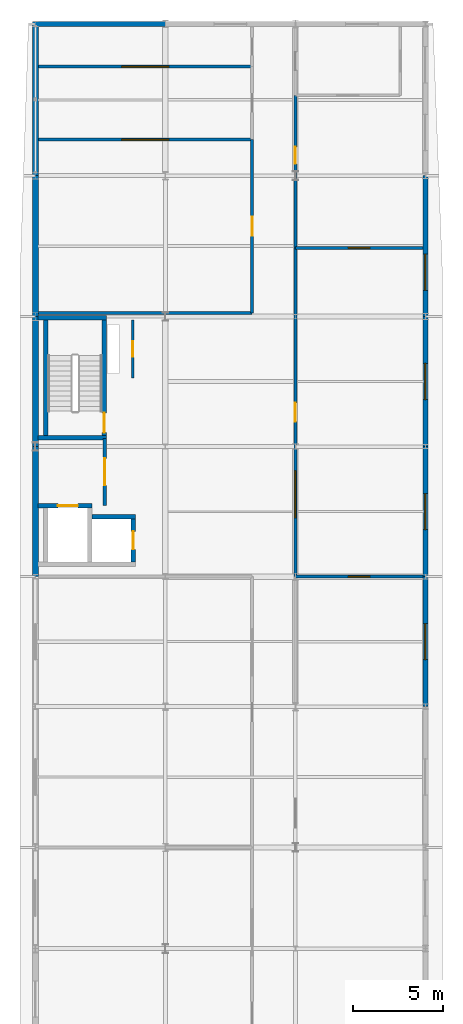
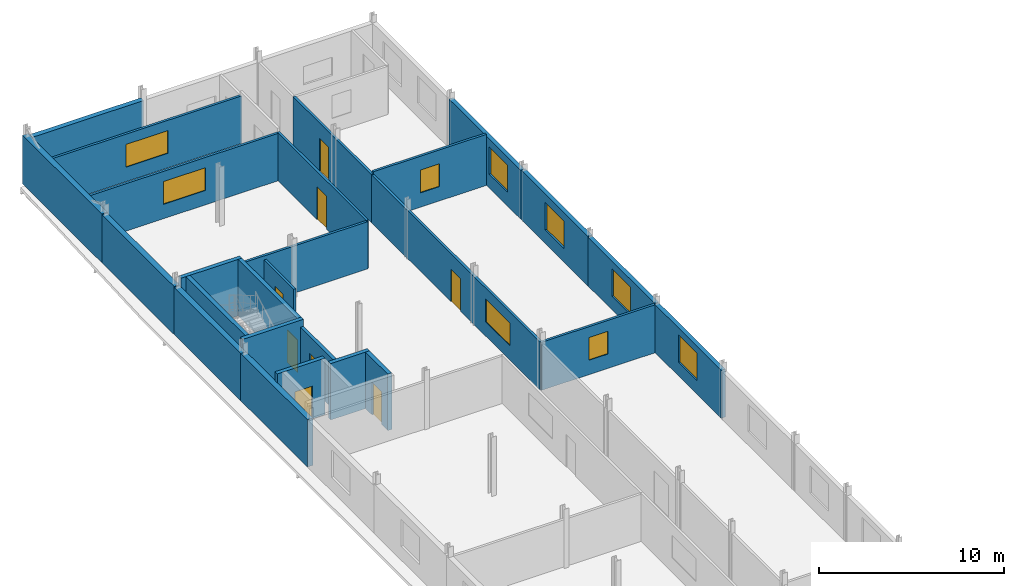
# One storey, part 12 of 16: 26 walls, 9 windows, 8 doors, 17 openings.
"""IFC4 building model written with IfcOpenShell, lengths in metres."""

from ifc_helpers import new_model, si_unit, direction, frame, frame_2d, origin, place, context, subcontext, project, spatial, rectangle, extrude, material, layer, layer_set, type_object, element, fill, save


model = new_model("IFC4")

# Units and contexts
model_context = context("Model", 3, precision=1e-05, world=origin(), true_north=direction((0.0, 1.0)))
body_context = subcontext(model_context, "Body", "Model", "MODEL_VIEW")
ifc_project = project(units=[si_unit("LENGTHUNIT", "METRE"), si_unit("AREAUNIT", "SQUARE_METRE"), si_unit("VOLUMEUNIT", "CUBIC_METRE"), si_unit("PLANEANGLEUNIT", "RADIAN"), si_unit("MASSUNIT", "GRAM", prefix="KILO")], contexts=[model_context])

# Site, building, storey
site_placement = place(None, origin())
site = spatial("IfcSite", under=ifc_project, at=site_placement, CompositionType="ELEMENT")
building_placement = place(site_placement, origin())
building = spatial("IfcBuilding", under=site, at=building_placement, Name="Vinh Khe Railworks Police Headquarters", CompositionType="ELEMENT")
storey_placement = place(building_placement, frame((0.0, 0.0, 28.800048828125)))
storey = spatial("IfcBuildingStorey", under=building, at=storey_placement, Name="L07", CompositionType="ELEMENT", Elevation=28.800048828125)

# Walls
ifc_material_1 = material(Name="Concrete C40/50 (B40)", Category="concrete")
ifc_layer_1 = layer(ifc_material_1, 0.25)
ifc_layer_set_1 = layer_set([ifc_layer_1], Name="Concrete C40/50 (B40)")
wall_type_1 = type_object("IfcWallType", Name="Core Shear Wall 250", PredefinedType="SHEAR", material=ifc_layer_set_1)
for number, where, z_axis, x_axis, name in (
    (1, (0.75, 81.47509765625, 0.0), (0.0, 0.0, 1.0), (1.0, 0.0, 0.0), "Core C2 STAIR-S Shear Wall (L07)"),
    (2, (0.75, 88.125, 0.0), (0.0, 0.0, 1.0), (1.0, 0.0, 0.0), "Core C2 STAIR-N Shear Wall (L07)"),
):
    element("IfcWall", number, at=place(storey_placement, frame(where, z_axis=z_axis, x_axis=x_axis)), inside=storey, type_object=wall_type_1, Name=name, PredefinedType="SHEAR", context=body_context, shape_type="SweptSolid", body=[
        extrude(rectangle(XDim=3.800048828125, YDim=0.25, at=frame_2d((1.89990234375, 0.0))), origin(), (0.0, 0.0, 1.0), 3.719970703125),
    ])
wall_1_placement = place(storey_placement, frame((1.175048828125, 81.60009765625, 0.0), z_axis=(0.0, 0.0, 1.0), x_axis=(0.0, 1.0, 0.0)))
element("IfcWall", 3, at=wall_1_placement, inside=storey, type_object=wall_type_1, Name="Core C2 STAIR-W Shear Wall (L07)", PredefinedType="SHEAR", context=body_context, shape_type="SweptSolid", body=[
    extrude(rectangle(XDim=6.39990234375, YDim=0.25, at=frame_2d((3.199951171875, 0.0))), origin(), (0.0, 0.0, 1.0), 3.719970703125),
])

# Wall, opening, door
wall_2_placement = place(storey_placement, frame((4.425048828125, 81.60009765625, 0.0), z_axis=(0.0, 0.0, 1.0), x_axis=(0.0, 1.0, 0.0)))
wall_2 = element("IfcWall", 4, at=wall_2_placement, inside=storey, type_object=wall_type_1, Name="Core C2 STAIR-E Shear Wall (L07)", PredefinedType="SHEAR", context=body_context, shape_type="SweptSolid", body=[
    extrude(rectangle(XDim=6.39990234375, YDim=0.25, at=frame_2d((3.199951171875, 0.0))), origin(), (0.0, 0.0, 1.0), 3.719970703125),
])
opening_1_placement = place(wall_2_placement, frame((0.169921875, 0.0, 0.0)))
opening_1 = element("IfcOpeningElement", 5, at=opening_1_placement, cuts=wall_2, Name="Opening FD-01", PredefinedType="OPENING", context=body_context, shape_type="SweptSolid", body=[
    extrude(rectangle(XDim=1.10009765625, YDim=2.14990234375, at=frame_2d((0.550048828125, 1.074951171875))), frame((0.0, 0.139892578125, 0.0), z_axis=(0.0, -1.0, 0.0), x_axis=(1.0, 0.0, 0.0)), (0.0, 0.0, 1.0), 0.27978515625),
])
ifc_material_2 = material(Name="Painted galvanised steel", Category="steel")
door_type_1 = type_object("IfcDoorType", Name="FD-1100x2150", OperationType="NOTDEFINED", PredefinedType="DOOR", material=ifc_material_2)
door_1_placement = place(opening_1_placement, frame((1.10009765625, 0.0, 0.0), z_axis=(0.0, 0.0, 1.0), x_axis=(-1.0, 0.0, 0.0)))
door_1 = element("IfcDoor", 6, at=door_1_placement, inside=storey, type_object=door_type_1, Name="Escape Stair ST-02 Fire Door L07", OperationType="SINGLE_SWING_RIGHT", OverallHeight=2.14990234375, OverallWidth=1.10009765625, PredefinedType="DOOR", context=body_context, shape_type="SweptSolid", body=[
    extrude(rectangle(XDim=1.10009765625, YDim=2.14990234375, at=frame_2d((0.550048828125, 1.074951171875))), frame((0.0, 0.02490234375, 0.0), z_axis=(0.0, -1.0, 0.0), x_axis=(1.0, 0.0, 0.0)), (0.0, 0.0, 1.0), 0.050048828125),
])
fill(opening_1, door_1)

wall_3_placement = place(storey_placement, frame((0.75, 77.72509765625, 0.0), z_axis=(0.0, 0.0, 1.0), x_axis=(1.0, 0.0, 0.0)))
wall_3 = element("IfcWall", 7, at=wall_3_placement, inside=storey, type_object=wall_type_1, Name="Core C2 FL-N Lift Shaft Wall (L07)", PredefinedType="SHEAR", context=body_context, shape_type="SweptSolid", body=[
    extrude(rectangle(XDim=2.97509765625, YDim=0.25, at=frame_2d((1.487548828125, 0.0))), origin(), (0.0, 0.0, 1.0), 3.719970703125),
])
opening_2_placement = place(wall_3_placement, frame((1.10009765625, 0.0, 0.0)))
opening_2 = element("IfcOpeningElement", 8, at=opening_2_placement, cuts=wall_3, Name="Opening LD-01", PredefinedType="OPENING", context=body_context, shape_type="SweptSolid", body=[
    extrude(rectangle(XDim=1.10009765625, YDim=2.14990234375, at=frame_2d((0.550048828125, 1.074951171875))), frame((0.0, 0.139892578125, 0.0), z_axis=(0.0, -1.0, 0.0), x_axis=(1.0, 0.0, 0.0)), (0.0, 0.0, 1.0), 0.27978515625),
])
door_type_2 = type_object("IfcDoorType", Name="LD-FF-1100", OperationType="SLIDING_TO_LEFT", PredefinedType="DOOR", material=ifc_material_2)
door_2_placement = place(opening_2_placement, origin())
door_2 = element("IfcDoor", 9, at=door_2_placement, inside=storey, type_object=door_type_2, Name="Firefighting Lift Landing Door FL-02 L07", OperationType="SLIDING_TO_LEFT", OverallHeight=2.14990234375, OverallWidth=1.10009765625, PredefinedType="DOOR", context=body_context, shape_type="SweptSolid", body=[
    extrude(rectangle(XDim=1.10009765625, YDim=2.14990234375, at=frame_2d((0.550048828125, 1.074951171875))), frame((0.0, 0.02490234375, 0.0), z_axis=(0.0, -1.0, 0.0), x_axis=(1.0, 0.0, 0.0)), (0.0, 0.0, 1.0), 0.050048828125),
])
fill(opening_2, door_2)

# Wall
wall_4_placement = place(storey_placement, frame((3.72509765625, 77.125, 0.0), z_axis=(0.0, 0.0, 1.0), x_axis=(1.0, 0.0, 0.0)))
element("IfcWall", 10, at=wall_4_placement, inside=storey, type_object=wall_type_1, Name="Core C2 PL-N Lift Shaft Wall (L07)", PredefinedType="SHEAR", context=body_context, shape_type="SweptSolid", body=[
    extrude(rectangle(XDim=2.4248046875, YDim=0.25, at=frame_2d((1.21240234375, 0.0))), origin(), (0.0, 0.0, 1.0), 3.719970703125),
])

# Wall, opening, door
wall_5_placement = place(storey_placement, frame((6.02490234375, 74.60009765625, 0.0), z_axis=(0.0, 0.0, 1.0), x_axis=(0.0, 1.0, 0.0)))
wall_5 = element("IfcWall", 11, at=wall_5_placement, inside=storey, type_object=wall_type_1, Name="Core C2 PL-E Lift Shaft Wall (L07)", PredefinedType="SHEAR", context=body_context, shape_type="SweptSolid", body=[
    extrude(rectangle(XDim=2.39990234375, YDim=0.25, at=frame_2d((1.199951171875, 0.0))), origin(), (0.0, 0.0, 1.0), 3.719970703125),
])
opening_3_placement = place(wall_5_placement, frame((0.699951171875, 0.0, 0.0)))
opening_3 = element("IfcOpeningElement", 12, at=opening_3_placement, cuts=wall_5, Name="Opening LD-02", PredefinedType="OPENING", context=body_context, shape_type="SweptSolid", body=[
    extrude(rectangle(XDim=1.0, YDim=2.14990234375, at=frame_2d((0.5, 1.074951171875))), frame((0.0, 0.139892578125, 0.0), z_axis=(0.0, -1.0, 0.0), x_axis=(1.0, 0.0, 0.0)), (0.0, 0.0, 1.0), 0.27978515625),
])
door_type_3 = type_object("IfcDoorType", Name="LD-PAX-1000", OperationType="SLIDING_TO_RIGHT", PredefinedType="DOOR", material=ifc_material_2)
door_3_placement = place(opening_3_placement, frame((1.0, 0.0, 0.0), z_axis=(0.0, 0.0, 1.0), x_axis=(-1.0, 0.0, 0.0)))
door_3 = element("IfcDoor", 13, at=door_3_placement, inside=storey, type_object=door_type_3, Name="Passenger Lift Landing Door PL-02 L07", OperationType="SLIDING_TO_RIGHT", OverallHeight=2.14990234375, OverallWidth=1.0, PredefinedType="DOOR", context=body_context, shape_type="SweptSolid", body=[
    extrude(rectangle(XDim=1.0, YDim=2.14990234375, at=frame_2d((0.5, 1.074951171875))), frame((0.0, 0.02490234375, 0.0), z_axis=(0.0, -1.0, 0.0), x_axis=(1.0, 0.0, 0.0)), (0.0, 0.0, 1.0), 0.050048828125),
])
fill(opening_3, door_3)

# Wall, opening, window
ifc_material_3 = material(Name="Clay brickwork", Category="masonry")
ifc_layer_2 = layer(ifc_material_3, 0.260009765625)
ifc_layer_set_2 = layer_set([ifc_layer_2], Name="Clay brickwork")
wall_type_2 = type_object("IfcWallType", Name="EW-BRK-260", PredefinedType="SOLIDWALL", material=ifc_layer_set_2)
wall_6_placement = place(storey_placement, frame((22.199951171875, 66.60009765625, 0.0), z_axis=(0.0, 0.0, 1.0), x_axis=(0.0, 1.0, 0.0)))
wall_6 = element("IfcWall", 14, at=wall_6_placement, inside=storey, type_object=wall_type_2, Name="Exterior Brick Wall EW-L07-V5E-09", PredefinedType="SOLIDWALL", context=body_context, shape_type="SweptSolid", body=[
    extrude(rectangle(XDim=7.199951171875, YDim=0.260009765625, at=frame_2d((3.60009765625, 0.0))), origin(), (0.0, 0.0, 1.0), 3.1650390625),
])
opening_4_placement = place(wall_6_placement, frame((2.60009765625, 0.0, 0.89990234375)))
opening_4 = element("IfcOpeningElement", 15, at=opening_4_placement, cuts=wall_6, Name="Opening WN-04", PredefinedType="OPENING", context=body_context, shape_type="SweptSolid", body=[
    extrude(rectangle(XDim=2.0, YDim=1.800048828125, at=frame_2d((1.0, 0.89990234375))), frame((0.0, 0.14501953125, 0.0), z_axis=(0.0, -1.0, 0.0), x_axis=(1.0, 0.0, 0.0)), (0.0, 0.0, 1.0), 0.289794921875),
])
ifc_material_4 = material(Name="Double-glazed solar-control glass in dark steel frame", Category="steel")
window_type_1 = type_object("IfcWindowType", Name="WIN-WN-04", PartitioningType="DOUBLE_PANEL_VERTICAL", PredefinedType="WINDOW", material=ifc_material_4)
window_1_placement = place(opening_4_placement, origin())
window_1 = element("IfcWindow", 16, at=window_1_placement, inside=storey, type_object=window_type_1, Name="Casement Window WN-04", OverallHeight=1.800048828125, OverallWidth=2.0, PartitioningType="SINGLE_PANEL", PredefinedType="WINDOW", context=body_context, shape_type="SweptSolid", body=[
    extrude(rectangle(XDim=2.0, YDim=1.800048828125, at=frame_2d((1.0, 0.89990234375))), frame((0.0, 0.030029296875, 0.0), z_axis=(0.0, -1.0, 0.0), x_axis=(1.0, 0.0, 0.0)), (0.0, 0.0, 1.0), 0.06005859375),
])
fill(opening_4, window_1)

wall_7_placement = place(storey_placement, frame((22.199951171875, 73.800048828125, 0.0), z_axis=(0.0, 0.0, 1.0), x_axis=(0.0, 1.0, 0.0)))
wall_7 = element("IfcWall", 17, at=wall_7_placement, inside=storey, type_object=wall_type_2, Name="Exterior Brick Wall EW-L07-V5E-10", PredefinedType="SOLIDWALL", context=body_context, shape_type="SweptSolid", body=[
    extrude(rectangle(XDim=7.199951171875, YDim=0.260009765625, at=frame_2d((3.60009765625, 0.0))), origin(), (0.0, 0.0, 1.0), 3.21484375),
])
opening_5_placement = place(wall_7_placement, frame((2.60009765625, 0.0, 0.89990234375)))
opening_5 = element("IfcOpeningElement", 18, at=opening_5_placement, cuts=wall_7, Name="Opening WN-04", PredefinedType="OPENING", context=body_context, shape_type="SweptSolid", body=[
    extrude(rectangle(XDim=2.0, YDim=1.800048828125, at=frame_2d((1.0, 0.89990234375))), frame((0.0, 0.14501953125, 0.0), z_axis=(0.0, -1.0, 0.0), x_axis=(1.0, 0.0, 0.0)), (0.0, 0.0, 1.0), 0.289794921875),
])
window_2_placement = place(opening_5_placement, origin())
window_2 = element("IfcWindow", 19, at=window_2_placement, inside=storey, type_object=window_type_1, Name="Casement Window WN-04", OverallHeight=1.800048828125, OverallWidth=2.0, PartitioningType="SINGLE_PANEL", PredefinedType="WINDOW", context=body_context, shape_type="SweptSolid", body=[
    extrude(rectangle(XDim=2.0, YDim=1.800048828125, at=frame_2d((1.0, 0.89990234375))), frame((0.0, 0.030029296875, 0.0), z_axis=(0.0, -1.0, 0.0), x_axis=(1.0, 0.0, 0.0)), (0.0, 0.0, 1.0), 0.06005859375),
])
fill(opening_5, window_2)

wall_8_placement = place(storey_placement, frame((22.199951171875, 81.0, 0.0), z_axis=(0.0, 0.0, 1.0), x_axis=(0.0, 1.0, 0.0)))
wall_8 = element("IfcWall", 20, at=wall_8_placement, inside=storey, type_object=wall_type_2, Name="Exterior Brick Wall EW-L07-V5E-11", PredefinedType="SOLIDWALL", context=body_context, shape_type="SweptSolid", body=[
    extrude(rectangle(XDim=7.199951171875, YDim=0.260009765625, at=frame_2d((3.60009765625, 0.0))), origin(), (0.0, 0.0, 1.0), 3.264892578125),
])
opening_6_placement = place(wall_8_placement, frame((2.60009765625, 0.0, 0.89990234375)))
opening_6 = element("IfcOpeningElement", 21, at=opening_6_placement, cuts=wall_8, Name="Opening WN-04", PredefinedType="OPENING", context=body_context, shape_type="SweptSolid", body=[
    extrude(rectangle(XDim=2.0, YDim=1.800048828125, at=frame_2d((1.0, 0.89990234375))), frame((0.0, 0.14501953125, 0.0), z_axis=(0.0, -1.0, 0.0), x_axis=(1.0, 0.0, 0.0)), (0.0, 0.0, 1.0), 0.289794921875),
])
window_3_placement = place(opening_6_placement, origin())
window_3 = element("IfcWindow", 22, at=window_3_placement, inside=storey, type_object=window_type_1, Name="Casement Window WN-04", OverallHeight=1.800048828125, OverallWidth=2.0, PartitioningType="SINGLE_PANEL", PredefinedType="WINDOW", context=body_context, shape_type="SweptSolid", body=[
    extrude(rectangle(XDim=2.0, YDim=1.800048828125, at=frame_2d((1.0, 0.89990234375))), frame((0.0, 0.030029296875, 0.0), z_axis=(0.0, -1.0, 0.0), x_axis=(1.0, 0.0, 0.0)), (0.0, 0.0, 1.0), 0.06005859375),
])
fill(opening_6, window_3)

wall_9_placement = place(storey_placement, frame((22.199951171875, 88.199951171875, 0.0), z_axis=(0.0, 0.0, 1.0), x_axis=(0.0, 1.0, 0.0)))
wall_9 = element("IfcWall", 23, at=wall_9_placement, inside=storey, type_object=wall_type_2, Name="Exterior Brick Wall EW-L07-V5E-12", PredefinedType="SOLIDWALL", context=body_context, shape_type="SweptSolid", body=[
    extrude(rectangle(XDim=7.800048828125, YDim=0.260009765625, at=frame_2d((3.89990234375, 0.0))), origin(), (0.0, 0.0, 1.0), 3.224853515625),
])
opening_7_placement = place(wall_9_placement, frame((1.449951171875, 0.0, 0.89990234375)))
opening_7 = element("IfcOpeningElement", 24, at=opening_7_placement, cuts=wall_9, Name="Opening WN-04", PredefinedType="OPENING", context=body_context, shape_type="SweptSolid", body=[
    extrude(rectangle(XDim=2.0, YDim=1.800048828125, at=frame_2d((1.0, 0.89990234375))), frame((0.0, 0.14501953125, 0.0), z_axis=(0.0, -1.0, 0.0), x_axis=(1.0, 0.0, 0.0)), (0.0, 0.0, 1.0), 0.289794921875),
])
window_4_placement = place(opening_7_placement, origin())
window_4 = element("IfcWindow", 25, at=window_4_placement, inside=storey, type_object=window_type_1, Name="Casement Window WN-04", OverallHeight=1.800048828125, OverallWidth=2.0, PartitioningType="SINGLE_PANEL", PredefinedType="WINDOW", context=body_context, shape_type="SweptSolid", body=[
    extrude(rectangle(XDim=2.0, YDim=1.800048828125, at=frame_2d((1.0, 0.89990234375))), frame((0.0, 0.030029296875, 0.0), z_axis=(0.0, -1.0, 0.0), x_axis=(1.0, 0.0, 0.0)), (0.0, 0.0, 1.0), 0.06005859375),
])
fill(opening_7, window_4)

# Walls
ifc_layer_3 = layer(ifc_material_3, 0.300048828125)
ifc_layer_set_3 = layer_set([ifc_layer_3], Name="Clay brickwork")
wall_type_3 = type_object("IfcWallType", Name="EW-BRK-300", PredefinedType="SOLIDWALL", material=ifc_layer_set_3)
wall_10_placement = place(storey_placement, frame((0.449951171875, 104.39990234375, 0.0), z_axis=(0.0, 0.0, 1.0), x_axis=(1.0, 0.0, 0.0)))
element("IfcWall", 26, at=wall_10_placement, inside=storey, type_object=wall_type_3, Name="Exterior Brick Wall EW-L07-V5N-01", PredefinedType="SOLIDWALL", context=body_context, shape_type="SweptSolid", body=[
    extrude(rectangle(XDim=7.35009765625, YDim=0.300048828125, at=frame_2d((3.675048828125, 0.0))), origin(), (0.0, 0.0, 1.0), 3.114990234375),
])
ifc_layer_4 = layer(ifc_material_3, 0.340087890625)
ifc_layer_set_4 = layer_set([ifc_layer_4], Name="Clay brickwork")
wall_type_4 = type_object("IfcWallType", Name="EW-BRK-340", PredefinedType="SOLIDWALL", material=ifc_layer_set_4)
for number, where, z_axis, x_axis, name in (
    (27, (0.60009765625, 73.800048828125, 0.0), (0.0, 0.0, 1.0), (0.0, 1.0, 0.0), "Exterior Brick Wall EW-L07-V5W-10"),
    (28, (0.60009765625, 81.0, 0.0), (0.0, 0.0, 1.0), (0.0, 1.0, 0.0), "Exterior Brick Wall EW-L07-V5W-11"),
):
    element("IfcWall", number, at=place(storey_placement, frame(where, z_axis=z_axis, x_axis=x_axis)), inside=storey, type_object=wall_type_4, Name=name, PredefinedType="SOLIDWALL", context=body_context, shape_type="SweptSolid", body=[
        extrude(rectangle(XDim=7.199951171875, YDim=0.340087890625, at=frame_2d((3.60009765625, 0.0))), origin(), (0.0, 0.0, 1.0), 3.114990234375),
    ])
wall_11_placement = place(storey_placement, frame((0.60009765625, 88.199951171875, 0.0), z_axis=(0.0, 0.0, 1.0), x_axis=(0.0, 1.0, 0.0)))
element("IfcWall", 29, at=wall_11_placement, inside=storey, type_object=wall_type_4, Name="Exterior Brick Wall EW-L07-V5W-12", PredefinedType="SOLIDWALL", context=body_context, shape_type="SweptSolid", body=[
    extrude(rectangle(XDim=7.800048828125, YDim=0.340087890625, at=frame_2d((3.89990234375, 0.0))), origin(), (0.0, 0.0, 1.0), 3.1650390625),
])
wall_12_placement = place(storey_placement, frame((0.60009765625, 96.0, 0.0), z_axis=(0.0, 0.0, 1.0), x_axis=(0.0, 1.0, 0.0)))
element("IfcWall", 30, at=wall_12_placement, inside=storey, type_object=wall_type_4, Name="Exterior Brick Wall EW-L07-V5W-13", PredefinedType="SOLIDWALL", context=body_context, shape_type="SweptSolid", body=[
    extrude(rectangle(XDim=8.570068359375, YDim=0.340087890625, at=frame_2d((4.28515625, 0.0))), origin(), (0.0, 0.0, 1.0), 3.21484375),
])

# Wall, opening, door
ifc_material_5 = material(Name="Autoclaved aerated concrete blockwork", Category="masonry")
ifc_layer_5 = layer(ifc_material_5, 0.199951171875)
ifc_layer_set_5 = layer_set([ifc_layer_5], Name="Autoclaved aerated concrete blockwork")
wall_type_5 = type_object("IfcWallType", Name="IW-BLK-200", PredefinedType="PARTITIONING", material=ifc_layer_set_5)
wall_13_placement = place(storey_placement, frame((4.449951171875, 77.75, 0.0), z_axis=(0.0, 0.0, 1.0), x_axis=(0.0, 1.0, 0.0)))
wall_13 = element("IfcWall", 31, at=wall_13_placement, inside=storey, type_object=wall_type_5, Name="Interior Partition W-FFL-C2-E-L07", PredefinedType="PARTITIONING", context=body_context, shape_type="SweptSolid", body=[
    extrude(rectangle(XDim=3.699951171875, YDim=0.199951171875, at=frame_2d((1.85009765625, 0.0))), origin(), (0.0, 0.0, 1.0), 3.264892578125),
])
opening_8_placement = place(wall_13_placement, frame((1.10009765625, 0.0, 0.0)))
opening_8 = element("IfcOpeningElement", 32, at=opening_8_placement, cuts=wall_13, Name="Opening FD-02", PredefinedType="OPENING", context=body_context, shape_type="SweptSolid", body=[
    extrude(rectangle(XDim=1.5, YDim=2.14990234375, at=frame_2d((0.75, 1.074951171875))), frame((0.0, 0.11474609375, 0.0), z_axis=(0.0, -1.0, 0.0), x_axis=(1.0, 0.0, 0.0)), (0.0, 0.0, 1.0), 0.229736328125),
])
door_type_4 = type_object("IfcDoorType", Name="FD-1500x2150", OperationType="DOUBLE_DOOR_SINGLE_SWING", PredefinedType="DOOR", material=ifc_material_2)
door_4_placement = place(opening_8_placement, origin())
door_4 = element("IfcDoor", 33, at=door_4_placement, inside=storey, type_object=door_type_4, Name="Firefighting Lobby Fire Door", OperationType="DOUBLE_DOOR_SINGLE_SWING", OverallHeight=2.14990234375, OverallWidth=1.5, PredefinedType="DOOR", context=body_context, shape_type="SweptSolid", body=[
    extrude(rectangle(XDim=1.5, YDim=2.14990234375, at=frame_2d((0.75, 1.074951171875))), frame((0.0, 0.02490234375, 0.0), z_axis=(0.0, -1.0, 0.0), x_axis=(1.0, 0.0, 0.0)), (0.0, 0.0, 1.0), 0.050048828125),
])
fill(opening_8, door_4)

# Wall
ifc_material_6 = material(Name="Gypsum plasterboard on steel stud", Category="steel")
ifc_layer_6 = layer(ifc_material_6, 0.1201171875)
ifc_layer_set_6 = layer_set([ifc_layer_6], Name="Gypsum plasterboard on steel stud")
wall_type_6 = type_object("IfcWallType", Name="IW-PART-120", PredefinedType="PARTITIONING", material=ifc_layer_set_6)
wall_14_placement = place(storey_placement, frame((0.780029296875, 88.39990234375, 0.0), z_axis=(0.0, 0.0, 1.0), x_axis=(1.0, 0.0, 0.0)))
element("IfcWall", 34, at=wall_14_placement, inside=storey, type_object=wall_type_6, Name="Interior Partition W-L07-V5-AUD7-DIV", PredefinedType="PARTITIONING", context=body_context, shape_type="SweptSolid", body=[
    extrude(rectangle(XDim=11.820068359375, YDim=0.14990234375, at=frame_2d((5.91015625, 0.0))), origin(), (0.0, 0.0, 1.0), 3.114990234375),
])

# Wall, opening, window
wall_15_placement = place(storey_placement, frame((0.780029296875, 102.0400390625, 0.0), z_axis=(0.0, 0.0, 1.0), x_axis=(1.0, 0.0, 0.0)))
wall_15 = element("IfcWall", 35, at=wall_15_placement, inside=storey, type_object=wall_type_6, Name="Interior Partition W-L07-V5-WCL7S-DIV", PredefinedType="PARTITIONING", context=body_context, shape_type="SweptSolid", body=[
    extrude(rectangle(XDim=11.820068359375, YDim=0.14990234375, at=frame_2d((5.91015625, 0.0))), origin(), (0.0, 0.0, 1.0), 3.125),
])
opening_9_placement = place(wall_15_placement, frame((4.610107421875, 0.0, 0.949951171875)))
opening_9 = element("IfcOpeningElement", 36, at=opening_9_placement, cuts=wall_15, Name="Opening WN-07", PredefinedType="OPENING", context=body_context, shape_type="SweptSolid", body=[
    extrude(rectangle(XDim=2.60009765625, YDim=1.5, at=frame_2d((1.300048828125, 0.75))), frame((0.0, 0.08984375, 0.0), z_axis=(0.0, -1.0, 0.0), x_axis=(1.0, 0.0, 0.0)), (0.0, 0.0, 1.0), 0.1796875),
])
window_type_2 = type_object("IfcWindowType", Name="WIN-WN-07", PartitioningType="DOUBLE_PANEL_HORIZONTAL", PredefinedType="WINDOW", material=ifc_material_4)
window_5_placement = place(opening_9_placement, origin())
window_5 = element("IfcWindow", 37, at=window_5_placement, inside=storey, type_object=window_type_2, Name="Interior Acoustic Vision Window WN-07", OverallHeight=1.5, OverallWidth=2.60009765625, PartitioningType="SINGLE_PANEL", PredefinedType="WINDOW", context=body_context, shape_type="SweptSolid", body=[
    extrude(rectangle(XDim=2.60009765625, YDim=1.5, at=frame_2d((1.300048828125, 0.75))), frame((0.0, 0.030029296875, 0.0), z_axis=(0.0, -1.0, 0.0), x_axis=(1.0, 0.0, 0.0)), (0.0, 0.0, 1.0), 0.06005859375),
])
fill(opening_9, window_5)

wall_16_placement = place(storey_placement, frame((0.780029296875, 98.0, 0.0), z_axis=(0.0, 0.0, 1.0), x_axis=(1.0, 0.0, 0.0)))
wall_16 = element("IfcWall", 38, at=wall_16_placement, inside=storey, type_object=wall_type_6, Name="Interior Partition W-L07-V5-WCL7-DIV", PredefinedType="PARTITIONING", context=body_context, shape_type="SweptSolid", body=[
    extrude(rectangle(XDim=11.820068359375, YDim=0.14990234375, at=frame_2d((5.91015625, 0.0))), origin(), (0.0, 0.0, 1.0), 3.125),
])
opening_10_placement = place(wall_16_placement, frame((4.610107421875, 0.0, 0.949951171875)))
opening_10 = element("IfcOpeningElement", 39, at=opening_10_placement, cuts=wall_16, Name="Opening WN-07", PredefinedType="OPENING", context=body_context, shape_type="SweptSolid", body=[
    extrude(rectangle(XDim=2.60009765625, YDim=1.5, at=frame_2d((1.300048828125, 0.75))), frame((0.0, 0.08984375, 0.0), z_axis=(0.0, -1.0, 0.0), x_axis=(1.0, 0.0, 0.0)), (0.0, 0.0, 1.0), 0.1796875),
])
window_6_placement = place(opening_10_placement, origin())
window_6 = element("IfcWindow", 40, at=window_6_placement, inside=storey, type_object=window_type_2, Name="Interior Acoustic Vision Window WN-07", OverallHeight=1.5, OverallWidth=2.60009765625, PartitioningType="SINGLE_PANEL", PredefinedType="WINDOW", context=body_context, shape_type="SweptSolid", body=[
    extrude(rectangle(XDim=2.60009765625, YDim=1.5, at=frame_2d((1.300048828125, 0.75))), frame((0.0, 0.030029296875, 0.0), z_axis=(0.0, -1.0, 0.0), x_axis=(1.0, 0.0, 0.0)), (0.0, 0.0, 1.0), 0.06005859375),
])
fill(opening_10, window_6)

wall_17_placement = place(storey_placement, frame((15.0, 73.800048828125, 0.0), z_axis=(0.0, 0.0, 1.0), x_axis=(1.0, 0.0, 0.0)))
wall_17 = element("IfcWall", 41, at=wall_17_placement, inside=storey, type_object=wall_type_6, Name="Interior Partition W-L07-V5-WELL7-DIV", PredefinedType="PARTITIONING", context=body_context, shape_type="SweptSolid", body=[
    extrude(rectangle(XDim=7.06005859375, YDim=0.14990234375, at=frame_2d((3.530029296875, 0.0))), origin(), (0.0, 0.0, 1.0), 3.1650390625),
])
opening_11_placement = place(wall_17_placement, frame((2.929931640625, 0.0, 0.949951171875)))
opening_11 = element("IfcOpeningElement", 42, at=opening_11_placement, cuts=wall_17, Name="Opening WN-10", PredefinedType="OPENING", context=body_context, shape_type="SweptSolid", body=[
    extrude(rectangle(XDim=1.199951171875, YDim=1.5, at=frame_2d((0.60009765625, 0.75))), frame((0.0, 0.08984375, 0.0), z_axis=(0.0, -1.0, 0.0), x_axis=(1.0, 0.0, 0.0)), (0.0, 0.0, 1.0), 0.1796875),
])
window_type_3 = type_object("IfcWindowType", Name="WIN-WN-10", PartitioningType="SINGLE_PANEL", PredefinedType="WINDOW", material=ifc_material_4)
window_7_placement = place(opening_11_placement, origin())
window_7 = element("IfcWindow", 43, at=window_7_placement, inside=storey, type_object=window_type_3, Name="Interior Acoustic Vision Window WN-10", OverallHeight=1.5, OverallWidth=1.199951171875, PartitioningType="SINGLE_PANEL", PredefinedType="WINDOW", context=body_context, shape_type="SweptSolid", body=[
    extrude(rectangle(XDim=1.199951171875, YDim=1.5, at=frame_2d((0.60009765625, 0.75))), frame((0.0, 0.030029296875, 0.0), z_axis=(0.0, -1.0, 0.0), x_axis=(1.0, 0.0, 0.0)), (0.0, 0.0, 1.0), 0.06005859375),
])
fill(opening_11, window_7)

wall_18_placement = place(storey_placement, frame((15.0, 92.0, 0.0), z_axis=(0.0, 0.0, 1.0), x_axis=(1.0, 0.0, 0.0)))
wall_18 = element("IfcWall", 44, at=wall_18_placement, inside=storey, type_object=wall_type_6, Name="Interior Partition W-L07-V5-AWCL7-DIV", PredefinedType="PARTITIONING", context=body_context, shape_type="SweptSolid", body=[
    extrude(rectangle(XDim=7.06005859375, YDim=0.14990234375, at=frame_2d((3.530029296875, 0.0))), origin(), (0.0, 0.0, 1.0), 3.364990234375),
])
opening_12_placement = place(wall_18_placement, frame((2.929931640625, 0.0, 0.949951171875)))
opening_12 = element("IfcOpeningElement", 45, at=opening_12_placement, cuts=wall_18, Name="Opening WN-10", PredefinedType="OPENING", context=body_context, shape_type="SweptSolid", body=[
    extrude(rectangle(XDim=1.199951171875, YDim=1.5, at=frame_2d((0.60009765625, 0.75))), frame((0.0, 0.08984375, 0.0), z_axis=(0.0, -1.0, 0.0), x_axis=(1.0, 0.0, 0.0)), (0.0, 0.0, 1.0), 0.1796875),
])
window_8_placement = place(opening_12_placement, origin())
window_8 = element("IfcWindow", 46, at=window_8_placement, inside=storey, type_object=window_type_3, Name="Interior Acoustic Vision Window WN-10", OverallHeight=1.5, OverallWidth=1.199951171875, PartitioningType="SINGLE_PANEL", PredefinedType="WINDOW", context=body_context, shape_type="SweptSolid", body=[
    extrude(rectangle(XDim=1.199951171875, YDim=1.5, at=frame_2d((0.60009765625, 0.75))), frame((0.0, 0.030029296875, 0.0), z_axis=(0.0, -1.0, 0.0), x_axis=(1.0, 0.0, 0.0)), (0.0, 0.0, 1.0), 0.06005859375),
])
fill(opening_12, window_8)

# Wall, opening, door
ifc_material_7 = material(Name="Gypsum plasterboard on acoustic steel stud", Category="steel")
ifc_layer_7 = layer(ifc_material_7, 0.14990234375)
ifc_layer_set_7 = layer_set([ifc_layer_7], Name="Gypsum plasterboard on acoustic steel stud")
wall_type_7 = type_object("IfcWallType", Name="IW-PART-150", PredefinedType="PARTITIONING", material=ifc_layer_set_7)
wall_19_placement = place(storey_placement, frame((6.0, 84.800048828125, 0.0), z_axis=(0.0, 0.0, 1.0), x_axis=(0.0, 1.0, 0.0)))
wall_19 = element("IfcWall", 47, at=wall_19_placement, inside=storey, type_object=wall_type_7, Name="Interior Partition W-RSR-C2-E-L07", PredefinedType="PARTITIONING", context=body_context, shape_type="SweptSolid", body=[
    extrude(rectangle(XDim=3.199951171875, YDim=0.14990234375, at=frame_2d((1.60009765625, 0.0))), origin(), (0.0, 0.0, 1.0), 3.114990234375),
])
opening_13_placement = place(wall_19_placement, frame((1.175048828125, 0.0, 0.0)))
opening_13 = element("IfcOpeningElement", 48, at=opening_13_placement, cuts=wall_19, Name="Opening FD-04", PredefinedType="OPENING", context=body_context, shape_type="SweptSolid", body=[
    extrude(rectangle(XDim=0.85009765625, YDim=2.10009765625, at=frame_2d((0.425048828125, 1.050048828125))), frame((0.0, 0.08984375, 0.0), z_axis=(0.0, -1.0, 0.0), x_axis=(1.0, 0.0, 0.0)), (0.0, 0.0, 1.0), 0.1796875),
])
door_type_5 = type_object("IfcDoorType", Name="FD-850x2100", OperationType="NOTDEFINED", PredefinedType="DOOR", material=ifc_material_2)
door_5_placement = place(opening_13_placement, origin())
door_5 = element("IfcDoor", 49, at=door_5_placement, inside=storey, type_object=door_type_5, Name="Wet Riser Access Door", OperationType="SINGLE_SWING_LEFT", OverallHeight=2.10009765625, OverallWidth=0.85009765625, PredefinedType="DOOR", context=body_context, shape_type="SweptSolid", body=[
    extrude(rectangle(XDim=0.85009765625, YDim=2.10009765625, at=frame_2d((0.425048828125, 1.050048828125))), frame((0.0, 0.02490234375, 0.0), z_axis=(0.0, -1.0, 0.0), x_axis=(1.0, 0.0, 0.0)), (0.0, 0.0, 1.0), 0.050048828125),
])
fill(opening_13, door_5)

wall_20_placement = place(storey_placement, frame((12.60009765625, 88.39990234375, 0.0), z_axis=(0.0, 0.0, 1.0), x_axis=(0.0, 1.0, 0.0)))
wall_20 = element("IfcWall", 50, at=wall_20_placement, inside=storey, type_object=wall_type_7, Name="Interior Partition W-L07-V5-AUD7-CW", PredefinedType="PARTITIONING", context=body_context, shape_type="SweptSolid", body=[
    extrude(rectangle(XDim=9.60009765625, YDim=0.14990234375, at=frame_2d((4.800048828125, 0.0))), origin(), (0.0, 0.0, 1.0), 3.1650390625),
])
opening_14_placement = place(wall_20_placement, frame((4.27490234375, 0.0, 0.0)))
opening_14 = element("IfcOpeningElement", 51, at=opening_14_placement, cuts=wall_20, Name="Opening D-02", PredefinedType="OPENING", context=body_context, shape_type="SweptSolid", body=[
    extrude(rectangle(XDim=1.050048828125, YDim=2.14990234375, at=frame_2d((0.52490234375, 1.074951171875))), frame((0.0, 0.08984375, 0.0), z_axis=(0.0, -1.0, 0.0), x_axis=(1.0, 0.0, 0.0)), (0.0, 0.0, 1.0), 0.1796875),
])
ifc_material_8 = material(Name="Seasoned hardwood timber", Category="wood")
door_type_6 = type_object("IfcDoorType", Name="ID-1050x2150", OperationType="NOTDEFINED", PredefinedType="DOOR", material=ifc_material_8)
door_6_placement = place(opening_14_placement, origin())
door_6 = element("IfcDoor", 52, at=door_6_placement, inside=storey, type_object=door_type_6, Name="Internal Audit and Standards Bureau Door", OperationType="SINGLE_SWING_RIGHT", OverallHeight=2.14990234375, OverallWidth=1.050048828125, PredefinedType="DOOR", context=body_context, shape_type="SweptSolid", body=[
    extrude(rectangle(XDim=1.050048828125, YDim=2.14990234375, at=frame_2d((0.52490234375, 1.074951171875))), frame((0.0, 0.02490234375, 0.0), z_axis=(0.0, -1.0, 0.0), x_axis=(1.0, 0.0, 0.0)), (0.0, 0.0, 1.0), 0.050048828125),
])
fill(opening_14, door_6)

# Wall, openings, door, window
wall_21_placement = place(storey_placement, frame((15.0, 73.800048828125, 0.0), z_axis=(0.0, 0.0, 1.0), x_axis=(0.0, 1.0, 0.0)))
wall_21 = element("IfcWall", 53, at=wall_21_placement, inside=storey, type_object=wall_type_7, Name="Interior Partition W-L07-V5-WELL7-CE", PredefinedType="PARTITIONING", context=body_context, shape_type="SweptSolid", body=[
    extrude(rectangle(XDim=18.199951171875, YDim=0.14990234375, at=frame_2d((9.10009765625, 0.0))), origin(), (0.0, 0.0, 1.0), 3.1650390625),
])
opening_15_placement = place(wall_21_placement, frame((8.574951171875, 0.0, 0.0)))
opening_15 = element("IfcOpeningElement", 54, at=opening_15_placement, cuts=wall_21, Name="Opening D-02", PredefinedType="OPENING", context=body_context, shape_type="SweptSolid", body=[
    extrude(rectangle(XDim=1.050048828125, YDim=2.14990234375, at=frame_2d((0.52490234375, 1.074951171875))), frame((0.0, 0.08984375, 0.0), z_axis=(0.0, -1.0, 0.0), x_axis=(1.0, 0.0, 0.0)), (0.0, 0.0, 1.0), 0.1796875),
])
opening_16_placement = place(wall_21_placement, frame((3.25, 0.0, 0.949951171875)))
opening_16 = element("IfcOpeningElement", 55, at=opening_16_placement, cuts=wall_21, Name="Opening WN-07", PredefinedType="OPENING", context=body_context, shape_type="SweptSolid", body=[
    extrude(rectangle(XDim=2.60009765625, YDim=1.5, at=frame_2d((1.300048828125, 0.75))), frame((0.0, 0.08984375, 0.0), z_axis=(0.0, -1.0, 0.0), x_axis=(1.0, 0.0, 0.0)), (0.0, 0.0, 1.0), 0.1796875),
])
door_7_placement = place(opening_15_placement, origin())
door_7 = element("IfcDoor", 56, at=door_7_placement, inside=storey, type_object=door_type_6, Name="Staff Wellness and Quiet Room Door", OperationType="SINGLE_SWING_LEFT", OverallHeight=2.14990234375, OverallWidth=1.050048828125, PredefinedType="DOOR", context=body_context, shape_type="SweptSolid", body=[
    extrude(rectangle(XDim=1.050048828125, YDim=2.14990234375, at=frame_2d((0.52490234375, 1.074951171875))), frame((0.0, 0.02490234375, 0.0), z_axis=(0.0, -1.0, 0.0), x_axis=(1.0, 0.0, 0.0)), (0.0, 0.0, 1.0), 0.050048828125),
])
fill(opening_15, door_7)
window_9_placement = place(opening_16_placement, origin())
window_9 = element("IfcWindow", 57, at=window_9_placement, inside=storey, type_object=window_type_2, Name="Interior Acoustic Vision Window WN-07", OverallHeight=1.5, OverallWidth=2.60009765625, PartitioningType="SINGLE_PANEL", PredefinedType="WINDOW", context=body_context, shape_type="SweptSolid", body=[
    extrude(rectangle(XDim=2.60009765625, YDim=1.5, at=frame_2d((1.300048828125, 0.75))), frame((0.0, 0.030029296875, 0.0), z_axis=(0.0, -1.0, 0.0), x_axis=(1.0, 0.0, 0.0)), (0.0, 0.0, 1.0), 0.06005859375),
])
fill(opening_16, window_9)

# Wall, opening, door
wall_22_placement = place(storey_placement, frame((15.0, 92.0, 0.0), z_axis=(0.0, 0.0, 1.0), x_axis=(0.0, 1.0, 0.0)))
wall_22 = element("IfcWall", 58, at=wall_22_placement, inside=storey, type_object=wall_type_7, Name="Interior Partition W-L07-V5-AWCL7S-CE", PredefinedType="PARTITIONING", context=body_context, shape_type="SweptSolid", body=[
    extrude(rectangle(XDim=8.447021484375, YDim=0.14990234375, at=frame_2d((4.2236328125, 0.0))), origin(), (0.0, 0.0, 1.0), 3.175048828125),
])
opening_17_placement = place(wall_22_placement, frame((4.64892578125, 0.0, 0.0)))
opening_17 = element("IfcOpeningElement", 59, at=opening_17_placement, cuts=wall_22, Name="Opening D-01", PredefinedType="OPENING", context=body_context, shape_type="SweptSolid", body=[
    extrude(rectangle(XDim=0.949951171875, YDim=2.14990234375, at=frame_2d((0.47509765625, 1.074951171875))), frame((0.0, 0.08984375, 0.0), z_axis=(0.0, -1.0, 0.0), x_axis=(1.0, 0.0, 0.0)), (0.0, 0.0, 1.0), 0.1796875),
])
door_type_7 = type_object("IfcDoorType", Name="ID-950x2150", OperationType="NOTDEFINED", PredefinedType="DOOR", material=ifc_material_8)
door_8_placement = place(opening_17_placement, origin())
door_8 = element("IfcDoor", 60, at=door_8_placement, inside=storey, type_object=door_type_7, Name="Floor Supplies Store Door", OperationType="SINGLE_SWING_RIGHT", OverallHeight=2.14990234375, OverallWidth=0.949951171875, PredefinedType="DOOR", context=body_context, shape_type="SweptSolid", body=[
    extrude(rectangle(XDim=0.949951171875, YDim=2.14990234375, at=frame_2d((0.47509765625, 1.074951171875))), frame((0.0, 0.02490234375, 0.0), z_axis=(0.0, -1.0, 0.0), x_axis=(1.0, 0.0, 0.0)), (0.0, 0.0, 1.0), 0.050048828125),
])
fill(opening_17, door_8)

save(model, "model.ifc")
